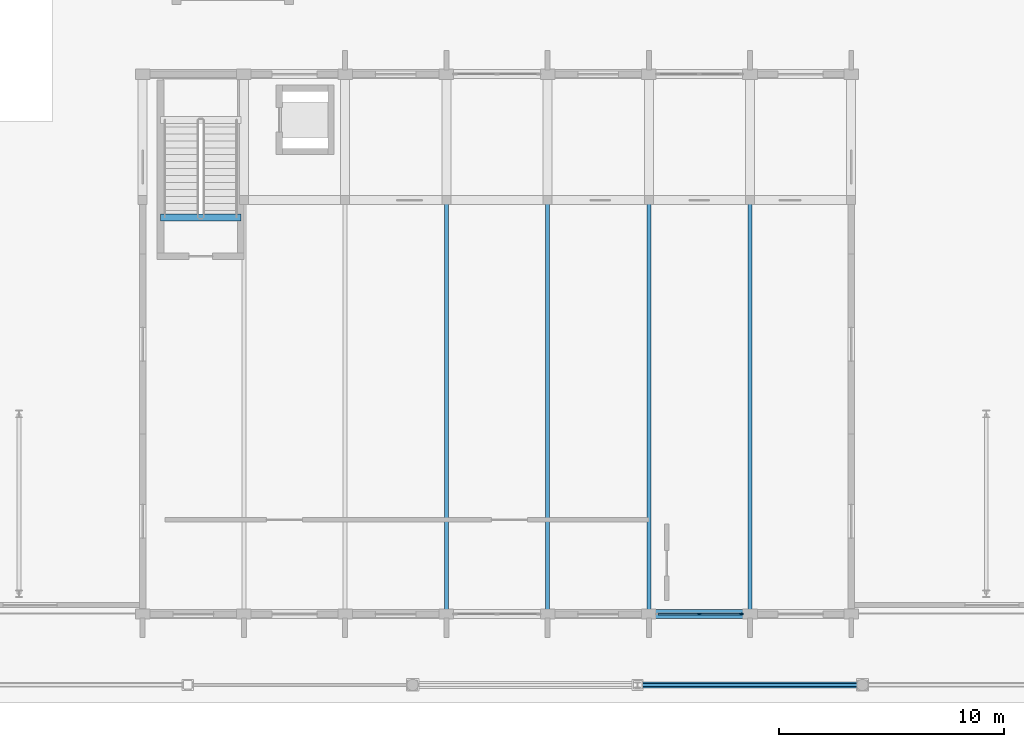
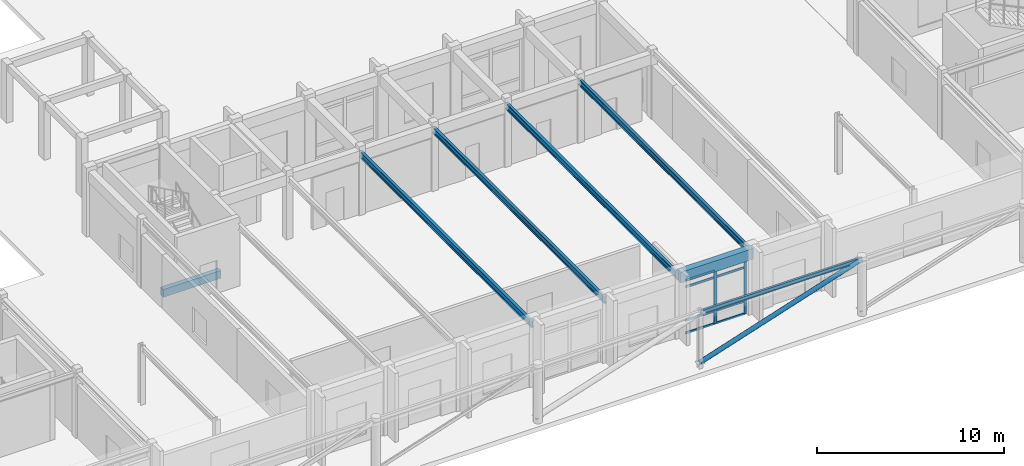
# One storey, part 13 of 61: 11 members, 7 beams, 1 element without a shape of its own.
"""IFC4 building model written with IfcOpenShell, lengths in metres."""

from ifc_helpers import new_model, si_unit, direction, frame, origin, origin_2d, place, context, subcontext, project, spatial, rectangle, hollow_circle, i_section, extrude, material, material_profile, profile_set, type_object, element, aggregate, save


model = new_model("IFC4")

# Units and contexts
model_context = context("Model", 3, precision=1e-05, world=origin(), true_north=direction((0.0, 1.0)))
body_context = subcontext(model_context, "Body", "Model", "MODEL_VIEW")
ifc_project = project(units=[si_unit("LENGTHUNIT", "METRE"), si_unit("AREAUNIT", "SQUARE_METRE"), si_unit("VOLUMEUNIT", "CUBIC_METRE"), si_unit("PLANEANGLEUNIT", "RADIAN"), si_unit("MASSUNIT", "GRAM", prefix="KILO")], contexts=[model_context])

# Site, building, storey
site_placement = place(None, origin())
site = spatial("IfcSite", under=ifc_project, at=site_placement, CompositionType="ELEMENT")
building_placement = place(site_placement, origin())
building = spatial("IfcBuilding", under=site, at=building_placement, Name="Zimvara Arc Housing Community", CompositionType="ELEMENT")
storey_placement = place(building_placement, origin())
storey = spatial("IfcBuildingStorey", under=building, at=storey_placement, Name="L00", CompositionType="ELEMENT", Elevation=0.0)

# Beams
ifc_material_1 = material(Name="Concrete C40/50", Category="concrete")
ifc_material_profile_1 = material_profile(ifc_material_1, rectangle(XDim=0.300048828125, YDim=0.5, at=origin_2d()), Name="RC 300x500")
ifc_profile_set_1 = profile_set([ifc_material_profile_1], Name="Concrete C40/50")
beam_type_1 = type_object("IfcBeamType", Name="BM-RC-300x500", PredefinedType="BEAM", material=ifc_profile_set_1)
beam_1_placement = place(storey_placement, frame((72.364990234375, 21.22998046875, -0.25), z_axis=(-1.0, 0.0, 0.0), x_axis=(0.0, -1.0, 0.0)))
element("IfcBeam", 1, at=beam_1_placement, inside=storey, type_object=beam_type_1, Name="bm:stair_trim:ST-H1:L00:near", PredefinedType="BEAM", context=body_context, shape_type="SweptSolid", body=[
    extrude(rectangle(XDim=0.300048828125, YDim=0.5, at=origin_2d()), origin(), (0.0, 0.0, 1.0), 3.570068359375),
])
ifc_material_2 = material(Name="Concrete C40/50", Category="concrete")
ifc_material_profile_2 = material_profile(ifc_material_2, rectangle(XDim=0.39990234375, YDim=0.699951171875, at=origin_2d()), Name="RC 400x700")
ifc_profile_set_2 = profile_set([ifc_material_profile_2], Name="Concrete C40/50")
beam_type_2 = type_object("IfcBeamType", Name="BM-RC-400x700", PredefinedType="BEAM", material=ifc_profile_set_2)
beam_2_placement = place(storey_placement, frame((90.5, 3.60009765625, 3.889892578125), z_axis=(1.0, 0.0, 0.0), x_axis=(0.0, 1.0, 0.0)))
element("IfcBeam", 2, at=beam_2_placement, inside=storey, type_object=beam_type_2, Name="bm:hall:L00:long:y0:b5", PredefinedType="BEAM", context=body_context, shape_type="SweptSolid", body=[
    extrude(rectangle(XDim=0.39990234375, YDim=0.699951171875, at=origin_2d()), origin(), (0.0, 0.0, 1.0), 4.5),
])
ifc_material_3 = material(Name="Steel S355", Category="steel")
ifc_material_profile_3 = material_profile(ifc_material_3, i_section(OverallWidth=0.135009765625, OverallDepth=0.27001953125, WebThickness=0.006591796875, FlangeThickness=0.01025390625, FilletRadius=0.014892578125, at=origin_2d()), Name="IPE 270")
ifc_profile_set_3 = profile_set([ifc_material_profile_3], Name="Steel S355")
beam_type_3 = type_object("IfcBeamType", Name="BM-ST-IPE270", PredefinedType="JOIST", material=ifc_profile_set_3)
beam_3_placement = place(storey_placement, frame((90.0, 0.449951171875, 3.60009765625), z_axis=(1.0, 0.0, 0.0), x_axis=(0.0, 1.0, 0.0)))
element("IfcBeam", 3, at=beam_3_placement, inside=storey, type_object=beam_type_3, Name="bm:colonnade:L00:s1:90", PredefinedType="JOIST", context=body_context, shape_type="SweptSolid", body=[
    extrude(i_section(OverallWidth=0.135009765625, OverallDepth=0.27001953125, WebThickness=0.006591796875, FlangeThickness=0.01025390625, FilletRadius=0.014892578125, at=origin_2d()), origin(), (0.0, 0.0, 1.0), 10.0),
])
ifc_material_4 = material(Name="Steel S355", Category="steel")
ifc_material_profile_4 = material_profile(ifc_material_4, i_section(OverallWidth=0.179931640625, OverallDepth=0.39990234375, WebThickness=0.008544921875, FlangeThickness=0.013427734375, FilletRadius=0.02099609375, at=origin_2d()), Name="IPE 400")
ifc_profile_set_4 = profile_set([ifc_material_profile_4], Name="Steel S355")
beam_type_4 = type_object("IfcBeamType", Name="BM-ST-IPE400", PredefinedType="BEAM", material=ifc_profile_set_4)
for number, where, z_axis, x_axis, name in (
    (4, (81.5, 3.60009765625, 3.889892578125), (0.0, 1.0, 0.0), (-1.0, 0.0, 0.0), "bm:hall:L00:trans1:x3"),
    (5, (86.0, 3.60009765625, 3.889892578125), (0.0, 1.0, 0.0), (-1.0, 0.0, 0.0), "bm:hall:L00:trans1:x4"),
    (6, (90.5, 3.60009765625, 3.889892578125), (0.0, 1.0, 0.0), (-1.0, 0.0, 0.0), "bm:hall:L00:trans1:x5"),
    (7, (95.0, 3.60009765625, 3.889892578125), (0.0, 1.0, 0.0), (-1.0, 0.0, 0.0), "bm:hall:L00:trans1:x6"),
):
    element("IfcBeam", number, at=place(storey_placement, frame(where, z_axis=z_axis, x_axis=x_axis)), inside=storey, type_object=beam_type_4, Name=name, PredefinedType="BEAM", context=body_context, shape_type="SweptSolid", body=[
        extrude(i_section(OverallWidth=0.179931640625, OverallDepth=0.39990234375, WebThickness=0.008544921875, FlangeThickness=0.013427734375, FilletRadius=0.02099609375, at=origin_2d()), origin(), (0.0, 0.0, 1.0), 18.39990234375),
    ])

# Curtain wall, members
ifc_material_5 = material(Name="Anodised Aluminium AW-6063", Category="aluminium")
curtain_wall_type = type_object("IfcCurtainWallType", Name="CW-SYS-08", PredefinedType="USERDEFINED", material=ifc_material_5)
curtain_wall_placement = place(storey_placement, origin())
curtain_wall = element("IfcCurtainWall", 8, at=curtain_wall_placement, inside=storey, type_object=curtain_wall_type, Name="cw:hall:L00:south:b5", ObjectType="CURTAIN WALL", PredefinedType="USERDEFINED")
ifc_material_6 = material(Name="Anodised Aluminium AW-6063", Category="aluminium")
ifc_material_profile_5 = material_profile(ifc_material_6, rectangle(XDim=0.06494140625, YDim=0.179931640625, at=origin_2d()), Name="ALU 65x180")
ifc_profile_set_5 = profile_set([ifc_material_profile_5], Name="Anodised Aluminium AW-6063")
member_type_1 = type_object("IfcMemberType", Name="CWM-65x150", PredefinedType="MULLION", material=ifc_profile_set_5)
member_1_placement = place(storey_placement, frame((92.75, 3.60009765625, 0.0), z_axis=(0.0, 0.0, 1.0), x_axis=(0.0, 1.0, 0.0)))
member_1 = element("IfcMember", 9, at=member_1_placement, type_object=member_type_1, Name="CW08 mullion 2", PredefinedType="MULLION", context=body_context, shape_type="SweptSolid", body=[
    extrude(rectangle(XDim=0.06494140625, YDim=0.179931640625, at=origin_2d()), origin(), (0.0, 0.0, 1.0), 3.5),
])
member_2_placement = place(storey_placement, frame((94.607421875, 3.60009765625, 0.0), z_axis=(0.0, 0.0, 1.0), x_axis=(0.0, 1.0, 0.0)))
member_2 = element("IfcMember", 10, at=member_2_placement, type_object=member_type_1, Name="CW08 mullion 3", PredefinedType="MULLION", context=body_context, shape_type="SweptSolid", body=[
    extrude(rectangle(XDim=0.06494140625, YDim=0.179931640625, at=origin_2d()), origin(), (0.0, 0.0, 1.0), 3.5),
])
ifc_material_7 = material(Name="Anodised Aluminium AW-6063", Category="aluminium")
ifc_material_profile_6 = material_profile(ifc_material_7, rectangle(XDim=0.06494140625, YDim=0.139892578125, at=origin_2d()), Name="ALU 65x140")
ifc_profile_set_6 = profile_set([ifc_material_profile_6], Name="Anodised Aluminium AW-6063")
member_type_2 = type_object("IfcMemberType", Name="CWT-65x120", PredefinedType="USERDEFINED", material=ifc_profile_set_6)
member_3_placement = place(storey_placement, frame((90.925048828125, 3.60009765625, 0.032470703125), z_axis=(1.0, 0.0, 0.0), x_axis=(0.0, 1.0, 0.0)))
member_3 = element("IfcMember", 11, at=member_3_placement, type_object=member_type_2, Name="CW08 transom 1.1", ObjectType="TRANSOM", PredefinedType="USERDEFINED", context=body_context, shape_type="SweptSolid", body=[
    extrude(rectangle(XDim=0.06494140625, YDim=0.139892578125, at=origin_2d()), origin(), (0.0, 0.0, 1.0), 1.79248046875),
])
member_4_placement = place(storey_placement, frame((90.925048828125, 3.60009765625, 0.85009765625), z_axis=(1.0, 0.0, 0.0), x_axis=(0.0, 1.0, 0.0)))
member_4 = element("IfcMember", 12, at=member_4_placement, type_object=member_type_2, Name="CW08 transom 1.2", ObjectType="TRANSOM", PredefinedType="USERDEFINED", context=body_context, shape_type="SweptSolid", body=[
    extrude(rectangle(XDim=0.06494140625, YDim=0.139892578125, at=origin_2d()), origin(), (0.0, 0.0, 1.0), 1.79248046875),
])
member_5_placement = place(storey_placement, frame((90.925048828125, 3.60009765625, 3.050048828125), z_axis=(1.0, 0.0, 0.0), x_axis=(0.0, 1.0, 0.0)))
member_5 = element("IfcMember", 13, at=member_5_placement, type_object=member_type_2, Name="CW08 transom 1.3", ObjectType="TRANSOM", PredefinedType="USERDEFINED", context=body_context, shape_type="SweptSolid", body=[
    extrude(rectangle(XDim=0.06494140625, YDim=0.139892578125, at=origin_2d()), origin(), (0.0, 0.0, 1.0), 1.79248046875),
])
member_6_placement = place(storey_placement, frame((90.925048828125, 3.60009765625, 3.467529296875), z_axis=(1.0, 0.0, 0.0), x_axis=(0.0, 1.0, 0.0)))
member_6 = element("IfcMember", 14, at=member_6_placement, type_object=member_type_2, Name="CW08 transom 1.4", ObjectType="TRANSOM", PredefinedType="USERDEFINED", context=body_context, shape_type="SweptSolid", body=[
    extrude(rectangle(XDim=0.06494140625, YDim=0.139892578125, at=origin_2d()), origin(), (0.0, 0.0, 1.0), 1.79248046875),
])
member_7_placement = place(storey_placement, frame((92.782470703125, 3.60009765625, 0.032470703125), z_axis=(1.0, 0.0, 0.0), x_axis=(0.0, 1.0, 0.0)))
member_7 = element("IfcMember", 15, at=member_7_placement, type_object=member_type_2, Name="CW08 transom 2.1", ObjectType="TRANSOM", PredefinedType="USERDEFINED", context=body_context, shape_type="SweptSolid", body=[
    extrude(rectangle(XDim=0.06494140625, YDim=0.139892578125, at=origin_2d()), origin(), (0.0, 0.0, 1.0), 1.79248046875),
])
member_8_placement = place(storey_placement, frame((92.782470703125, 3.60009765625, 0.85009765625), z_axis=(1.0, 0.0, 0.0), x_axis=(0.0, 1.0, 0.0)))
member_8 = element("IfcMember", 16, at=member_8_placement, type_object=member_type_2, Name="CW08 transom 2.2", ObjectType="TRANSOM", PredefinedType="USERDEFINED", context=body_context, shape_type="SweptSolid", body=[
    extrude(rectangle(XDim=0.06494140625, YDim=0.139892578125, at=origin_2d()), origin(), (0.0, 0.0, 1.0), 1.79248046875),
])
member_9_placement = place(storey_placement, frame((92.782470703125, 3.60009765625, 3.050048828125), z_axis=(1.0, 0.0, 0.0), x_axis=(0.0, 1.0, 0.0)))
member_9 = element("IfcMember", 17, at=member_9_placement, type_object=member_type_2, Name="CW08 transom 2.3", ObjectType="TRANSOM", PredefinedType="USERDEFINED", context=body_context, shape_type="SweptSolid", body=[
    extrude(rectangle(XDim=0.06494140625, YDim=0.139892578125, at=origin_2d()), origin(), (0.0, 0.0, 1.0), 1.79248046875),
])
member_10_placement = place(storey_placement, frame((92.782470703125, 3.60009765625, 3.467529296875), z_axis=(1.0, 0.0, 0.0), x_axis=(0.0, 1.0, 0.0)))
member_10 = element("IfcMember", 18, at=member_10_placement, type_object=member_type_2, Name="CW08 transom 2.4", ObjectType="TRANSOM", PredefinedType="USERDEFINED", context=body_context, shape_type="SweptSolid", body=[
    extrude(rectangle(XDim=0.06494140625, YDim=0.139892578125, at=origin_2d()), origin(), (0.0, 0.0, 1.0), 1.79248046875),
])
aggregate(curtain_wall, [member_1, member_2, member_3, member_4, member_5, member_6, member_7, member_8, member_9, member_10])

# Member
ifc_material_8 = material(Name="Steel S355", Category="steel")
ifc_material_profile_7 = material_profile(ifc_material_8, hollow_circle(Radius=0.136474609375, WallThickness=0.010009765625, at=origin_2d()), Name="CHS 273.0x10.0")
ifc_profile_set_7 = profile_set([ifc_material_profile_7], Name="Steel S355")
member_type_3 = type_object("IfcMemberType", Name="MB-STRUT-CHS273", PredefinedType="STRUT", material=ifc_profile_set_7)
member_11_placement = place(storey_placement, frame((90.0, 0.449951171875, 0.35009765625), z_axis=(0.951034068731, 0.0, 0.309086072338), x_axis=(0.0, 1.0, 0.0)))
element("IfcMember", 19, at=member_11_placement, inside=storey, type_object=member_type_3, Name="mb:colonnade:L00:s1:90", PredefinedType="STRUT", context=body_context, shape_type="SweptSolid", body=[
    extrude(hollow_circle(Radius=0.136474609375, WallThickness=0.010009765625, at=origin_2d()), origin(), (0.0, 0.0, 1.0), 10.514892578125),
])

save(model, "model.ifc")
